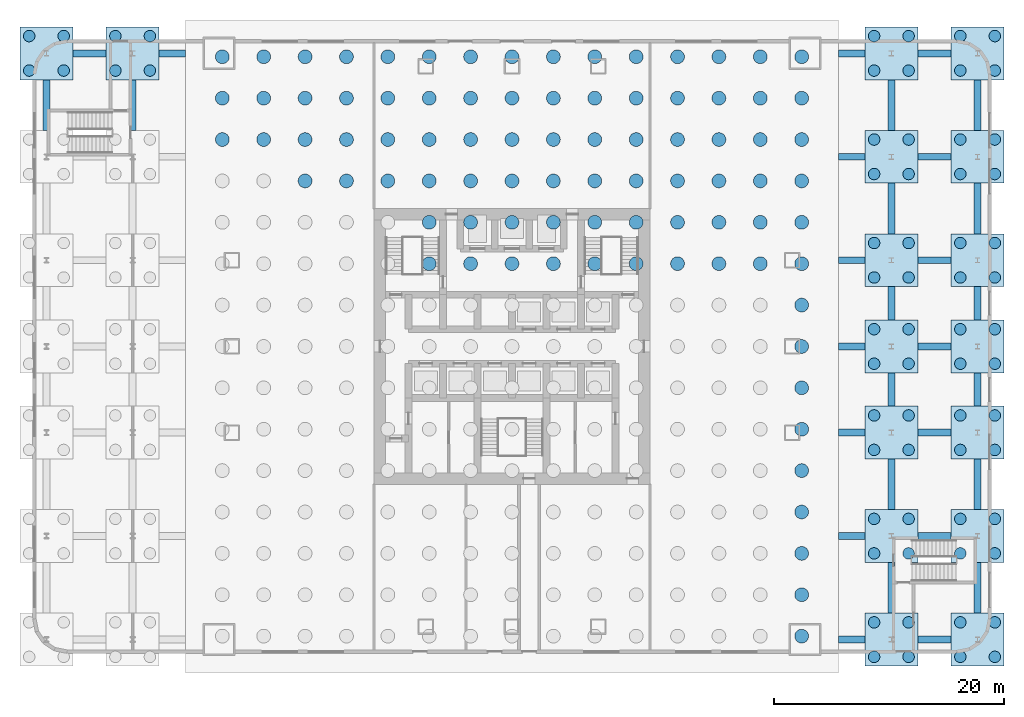
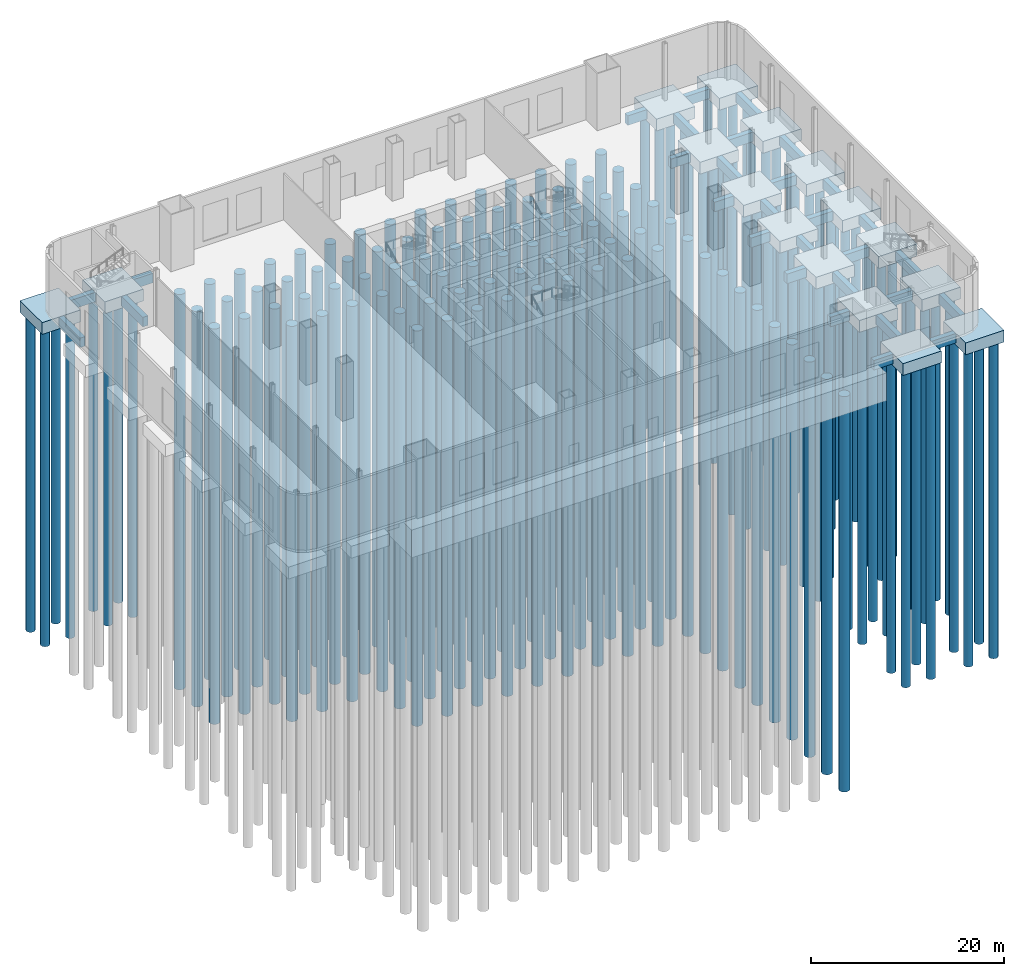
# One storey, part 2 of 10: 151 piles, 46 footings.
"""IFC4 building model written with IfcOpenShell, lengths in metres."""

from ifc_helpers import new_model, si_unit, direction, frame, origin, origin_2d, place, context, subcontext, project, spatial, rectangle, circle, extrude, material, layer, layer_set, material_profile, profile_set, type_object, element, save


model = new_model("IFC4")

# Units and contexts
model_context = context("Model", 3, precision=1e-05, world=origin(), true_north=direction((0.0, 1.0)))
body_context = subcontext(model_context, "Body", "Model", "MODEL_VIEW")
ifc_project = project(units=[si_unit("LENGTHUNIT", "METRE"), si_unit("AREAUNIT", "SQUARE_METRE"), si_unit("VOLUMEUNIT", "CUBIC_METRE"), si_unit("PLANEANGLEUNIT", "RADIAN"), si_unit("MASSUNIT", "GRAM", prefix="KILO")], contexts=[model_context])

# Site, building, storey
site_placement = place(None, origin())
site = spatial("IfcSite", under=ifc_project, at=site_placement, CompositionType="ELEMENT")
building_placement = place(site_placement, origin())
building = spatial("IfcBuilding", under=site, at=building_placement, Name="Tarangal Relay Tower", CompositionType="ELEMENT")
storey_placement = place(building_placement, origin())
storey = spatial("IfcBuildingStorey", under=building, at=storey_placement, Name="L00", CompositionType="ELEMENT", Elevation=0.0)

# Piles
ifc_material = material(Name="Concrete fc' 40 MPa", Category="concrete")
ifc_material_profile_1 = material_profile(ifc_material, circle(Radius=0.5, at=origin_2d()), Name="D1000")
ifc_profile_set_1 = profile_set([ifc_material_profile_1], Name="Concrete fc' 40 MPa")
pile_type_1 = type_object("IfcPileType", Name="Bored pile 1000", PredefinedType="BORED", material=ifc_profile_set_1)
for number, where, z_axis, x_axis, name in (
    (1, (-34.5, 24.0, -1.699951171875), (0.0, 0.0, -1.0), (1.0, 0.0, 0.0), "Bored pile P2 under cap -33.0 +25.5"),
    (2, (-34.5, 27.0, -1.699951171875), (0.0, 0.0, -1.0), (1.0, 0.0, 0.0), "Bored pile P2 under cap -33.0 +25.5"),
    (3, (-31.5, 24.0, -1.699951171875), (0.0, 0.0, -1.0), (1.0, 0.0, 0.0), "Bored pile P2 under cap -33.0 +25.5"),
    (4, (-31.5, 27.0, -1.699951171875), (0.0, 0.0, -1.0), (1.0, 0.0, 0.0), "Bored pile P2 under cap -33.0 +25.5"),
    (5, (-42.0, 24.0, -1.699951171875), (0.0, 0.0, -1.0), (1.0, 0.0, 0.0), "Bored pile P2 under cap -40.5 +25.5"),
    (6, (-42.0, 27.0, -1.699951171875), (0.0, 0.0, -1.0), (1.0, 0.0, 0.0), "Bored pile P2 under cap -40.5 +25.5"),
    (7, (-39.0, 24.0, -1.699951171875), (0.0, 0.0, -1.0), (1.0, 0.0, 0.0), "Bored pile P2 under cap -40.5 +25.5"),
    (8, (-39.0, 27.0, -1.699951171875), (0.0, 0.0, -1.0), (1.0, 0.0, 0.0), "Bored pile P2 under cap -40.5 +25.5"),
    (9, (31.5, -27.0, -1.699951171875), (0.0, 0.0, -1.0), (1.0, 0.0, 0.0), "Bored pile P2 under cap +33.0 -25.5"),
    (10, (31.5, -24.0, -1.699951171875), (0.0, 0.0, -1.0), (1.0, 0.0, 0.0), "Bored pile P2 under cap +33.0 -25.5"),
    (11, (34.5, -27.0, -1.699951171875), (0.0, 0.0, -1.0), (1.0, 0.0, 0.0), "Bored pile P2 under cap +33.0 -25.5"),
    (12, (34.5, -24.0, -1.699951171875), (0.0, 0.0, -1.0), (1.0, 0.0, 0.0), "Bored pile P2 under cap +33.0 -25.5"),
    (13, (31.5, -18.0, -1.699951171875), (0.0, 0.0, -1.0), (1.0, 0.0, 0.0), "Bored pile P2 under cap +33.0 -16.5"),
    (14, (31.5, -15.0, -1.699951171875), (0.0, 0.0, -1.0), (1.0, 0.0, 0.0), "Bored pile P2 under cap +33.0 -16.5"),
    (15, (34.5, -18.0, -1.699951171875), (0.0, 0.0, -1.0), (1.0, 0.0, 0.0), "Bored pile P2 under cap +33.0 -16.5"),
    (16, (34.5, -15.0, -1.699951171875), (0.0, 0.0, -1.0), (1.0, 0.0, 0.0), "Bored pile P2 under cap +33.0 -16.5"),
    (17, (31.5, -9.0, -1.699951171875), (0.0, 0.0, -1.0), (1.0, 0.0, 0.0), "Bored pile P2 under cap +33.0 -7.5"),
    (18, (31.5, -6.0, -1.699951171875), (0.0, 0.0, -1.0), (1.0, 0.0, 0.0), "Bored pile P2 under cap +33.0 -7.5"),
    (19, (34.5, -9.0, -1.699951171875), (0.0, 0.0, -1.0), (1.0, 0.0, 0.0), "Bored pile P2 under cap +33.0 -7.5"),
    (20, (34.5, -6.0, -1.699951171875), (0.0, 0.0, -1.0), (1.0, 0.0, 0.0), "Bored pile P2 under cap +33.0 -7.5"),
    (21, (31.5, -1.5, -1.699951171875), (0.0, 0.0, -1.0), (1.0, 0.0, 0.0), "Bored pile P2 under cap +33.0 +0.0"),
    (22, (31.5, 1.5, -1.699951171875), (0.0, 0.0, -1.0), (1.0, 0.0, 0.0), "Bored pile P2 under cap +33.0 +0.0"),
    (23, (34.5, -1.5, -1.699951171875), (0.0, 0.0, -1.0), (1.0, 0.0, 0.0), "Bored pile P2 under cap +33.0 +0.0"),
    (24, (34.5, 1.5, -1.699951171875), (0.0, 0.0, -1.0), (1.0, 0.0, 0.0), "Bored pile P2 under cap +33.0 +0.0"),
    (25, (31.5, 6.0, -1.699951171875), (0.0, 0.0, -1.0), (1.0, 0.0, 0.0), "Bored pile P2 under cap +33.0 +7.5"),
    (26, (31.5, 9.0, -1.699951171875), (0.0, 0.0, -1.0), (1.0, 0.0, 0.0), "Bored pile P2 under cap +33.0 +7.5"),
    (27, (34.5, 6.0, -1.699951171875), (0.0, 0.0, -1.0), (1.0, 0.0, 0.0), "Bored pile P2 under cap +33.0 +7.5"),
    (28, (34.5, 9.0, -1.699951171875), (0.0, 0.0, -1.0), (1.0, 0.0, 0.0), "Bored pile P2 under cap +33.0 +7.5"),
    (29, (31.5, 15.0, -1.699951171875), (0.0, 0.0, -1.0), (1.0, 0.0, 0.0), "Bored pile P2 under cap +33.0 +16.5"),
    (30, (31.5, 18.0, -1.699951171875), (0.0, 0.0, -1.0), (1.0, 0.0, 0.0), "Bored pile P2 under cap +33.0 +16.5"),
    (31, (34.5, 15.0, -1.699951171875), (0.0, 0.0, -1.0), (1.0, 0.0, 0.0), "Bored pile P2 under cap +33.0 +16.5"),
    (32, (34.5, 18.0, -1.699951171875), (0.0, 0.0, -1.0), (1.0, 0.0, 0.0), "Bored pile P2 under cap +33.0 +16.5"),
    (33, (31.5, 24.0, -1.699951171875), (0.0, 0.0, -1.0), (1.0, 0.0, 0.0), "Bored pile P2 under cap +33.0 +25.5"),
    (34, (31.5, 27.0, -1.699951171875), (0.0, 0.0, -1.0), (1.0, 0.0, 0.0), "Bored pile P2 under cap +33.0 +25.5"),
    (35, (34.5, 24.0, -1.699951171875), (0.0, 0.0, -1.0), (1.0, 0.0, 0.0), "Bored pile P2 under cap +33.0 +25.5"),
    (36, (34.5, 27.0, -1.699951171875), (0.0, 0.0, -1.0), (1.0, 0.0, 0.0), "Bored pile P2 under cap +33.0 +25.5"),
    (37, (39.0, -27.0, -1.699951171875), (0.0, 0.0, -1.0), (1.0, 0.0, 0.0), "Bored pile P2 under cap +40.5 -25.5"),
    (38, (39.0, -24.0, -1.699951171875), (0.0, 0.0, -1.0), (1.0, 0.0, 0.0), "Bored pile P2 under cap +40.5 -25.5"),
    (39, (42.0, -27.0, -1.699951171875), (0.0, 0.0, -1.0), (1.0, 0.0, 0.0), "Bored pile P2 under cap +40.5 -25.5"),
    (40, (42.0, -24.0, -1.699951171875), (0.0, 0.0, -1.0), (1.0, 0.0, 0.0), "Bored pile P2 under cap +40.5 -25.5"),
    (41, (39.0, -18.0, -1.699951171875), (0.0, 0.0, -1.0), (1.0, 0.0, 0.0), "Bored pile P2 under cap +40.5 -16.5"),
    (42, (39.0, -15.0, -1.699951171875), (0.0, 0.0, -1.0), (1.0, 0.0, 0.0), "Bored pile P2 under cap +40.5 -16.5"),
    (43, (42.0, -18.0, -1.699951171875), (0.0, 0.0, -1.0), (1.0, 0.0, 0.0), "Bored pile P2 under cap +40.5 -16.5"),
    (44, (42.0, -15.0, -1.699951171875), (0.0, 0.0, -1.0), (1.0, 0.0, 0.0), "Bored pile P2 under cap +40.5 -16.5"),
    (45, (39.0, -9.0, -1.699951171875), (0.0, 0.0, -1.0), (1.0, 0.0, 0.0), "Bored pile P2 under cap +40.5 -7.5"),
    (46, (39.0, -6.0, -1.699951171875), (0.0, 0.0, -1.0), (1.0, 0.0, 0.0), "Bored pile P2 under cap +40.5 -7.5"),
    (47, (42.0, -9.0, -1.699951171875), (0.0, 0.0, -1.0), (1.0, 0.0, 0.0), "Bored pile P2 under cap +40.5 -7.5"),
    (48, (42.0, -6.0, -1.699951171875), (0.0, 0.0, -1.0), (1.0, 0.0, 0.0), "Bored pile P2 under cap +40.5 -7.5"),
    (49, (39.0, -1.5, -1.699951171875), (0.0, 0.0, -1.0), (1.0, 0.0, 0.0), "Bored pile P2 under cap +40.5 +0.0"),
    (50, (39.0, 1.5, -1.699951171875), (0.0, 0.0, -1.0), (1.0, 0.0, 0.0), "Bored pile P2 under cap +40.5 +0.0"),
    (51, (42.0, -1.5, -1.699951171875), (0.0, 0.0, -1.0), (1.0, 0.0, 0.0), "Bored pile P2 under cap +40.5 +0.0"),
    (52, (42.0, 1.5, -1.699951171875), (0.0, 0.0, -1.0), (1.0, 0.0, 0.0), "Bored pile P2 under cap +40.5 +0.0"),
    (53, (39.0, 6.0, -1.699951171875), (0.0, 0.0, -1.0), (1.0, 0.0, 0.0), "Bored pile P2 under cap +40.5 +7.5"),
    (54, (39.0, 9.0, -1.699951171875), (0.0, 0.0, -1.0), (1.0, 0.0, 0.0), "Bored pile P2 under cap +40.5 +7.5"),
    (55, (42.0, 6.0, -1.699951171875), (0.0, 0.0, -1.0), (1.0, 0.0, 0.0), "Bored pile P2 under cap +40.5 +7.5"),
    (56, (42.0, 9.0, -1.699951171875), (0.0, 0.0, -1.0), (1.0, 0.0, 0.0), "Bored pile P2 under cap +40.5 +7.5"),
    (57, (39.0, 15.0, -1.699951171875), (0.0, 0.0, -1.0), (1.0, 0.0, 0.0), "Bored pile P2 under cap +40.5 +16.5"),
    (58, (39.0, 18.0, -1.699951171875), (0.0, 0.0, -1.0), (1.0, 0.0, 0.0), "Bored pile P2 under cap +40.5 +16.5"),
    (59, (42.0, 15.0, -1.699951171875), (0.0, 0.0, -1.0), (1.0, 0.0, 0.0), "Bored pile P2 under cap +40.5 +16.5"),
    (60, (42.0, 18.0, -1.699951171875), (0.0, 0.0, -1.0), (1.0, 0.0, 0.0), "Bored pile P2 under cap +40.5 +16.5"),
    (61, (39.0, 24.0, -1.699951171875), (0.0, 0.0, -1.0), (1.0, 0.0, 0.0), "Bored pile P2 under cap +40.5 +25.5"),
    (62, (39.0, 27.0, -1.699951171875), (0.0, 0.0, -1.0), (1.0, 0.0, 0.0), "Bored pile P2 under cap +40.5 +25.5"),
    (63, (42.0, 24.0, -1.699951171875), (0.0, 0.0, -1.0), (1.0, 0.0, 0.0), "Bored pile P2 under cap +40.5 +25.5"),
    (64, (42.0, 27.0, -1.699951171875), (0.0, 0.0, -1.0), (1.0, 0.0, 0.0), "Bored pile P2 under cap +40.5 +25.5"),
):
    element("IfcPile", number, at=place(storey_placement, frame(where, z_axis=z_axis, x_axis=x_axis)), inside=storey, type_object=pile_type_1, Name=name, PredefinedType="BORED", context=body_context, shape_type="SweptSolid", body=[
        extrude(circle(Radius=0.5, at=origin_2d()), origin(), (0.0, 0.0, 1.0), 40.0),
    ])
ifc_material_profile_2 = material_profile(ifc_material, circle(Radius=0.60009765625, at=origin_2d()), Name="D1200")
ifc_profile_set_2 = profile_set([ifc_material_profile_2], Name="Concrete fc' 40 MPa")
pile_type_2 = type_object("IfcPileType", Name="Bored pile 1200", PredefinedType="BORED", material=ifc_profile_set_2)
for number, where, z_axis, x_axis, name in (
    (65, (-25.199951171875, 18.0, -3.699951171875), (0.0, 0.0, -1.0), (1.0, 0.0, 0.0), "Bored pile P1 01-13"),
    (66, (-25.199951171875, 21.60009765625, -3.699951171875), (0.0, 0.0, -1.0), (1.0, 0.0, 0.0), "Bored pile P1 01-14"),
    (67, (-25.199951171875, 25.199951171875, -3.699951171875), (0.0, 0.0, -1.0), (1.0, 0.0, 0.0), "Bored pile P1 01-15"),
    (68, (-21.60009765625, 18.0, -3.699951171875), (0.0, 0.0, -1.0), (1.0, 0.0, 0.0), "Bored pile P1 02-13"),
    (69, (-21.60009765625, 21.60009765625, -3.699951171875), (0.0, 0.0, -1.0), (1.0, 0.0, 0.0), "Bored pile P1 02-14"),
    (70, (-21.60009765625, 25.199951171875, -3.699951171875), (0.0, 0.0, -1.0), (1.0, 0.0, 0.0), "Bored pile P1 02-15"),
    (71, (-18.0, 14.39990234375, -3.699951171875), (0.0, 0.0, -1.0), (1.0, 0.0, 0.0), "Bored pile P1 03-12"),
    (72, (-18.0, 18.0, -3.699951171875), (0.0, 0.0, -1.0), (1.0, 0.0, 0.0), "Bored pile P1 03-13"),
    (73, (-18.0, 21.60009765625, -3.699951171875), (0.0, 0.0, -1.0), (1.0, 0.0, 0.0), "Bored pile P1 03-14"),
    (74, (-18.0, 25.199951171875, -3.699951171875), (0.0, 0.0, -1.0), (1.0, 0.0, 0.0), "Bored pile P1 03-15"),
    (75, (-14.39990234375, 14.39990234375, -3.699951171875), (0.0, 0.0, -1.0), (1.0, 0.0, 0.0), "Bored pile P1 04-12"),
    (76, (-14.39990234375, 18.0, -3.699951171875), (0.0, 0.0, -1.0), (1.0, 0.0, 0.0), "Bored pile P1 04-13"),
    (77, (-14.39990234375, 21.60009765625, -3.699951171875), (0.0, 0.0, -1.0), (1.0, 0.0, 0.0), "Bored pile P1 04-14"),
    (78, (-14.39990234375, 25.199951171875, -3.699951171875), (0.0, 0.0, -1.0), (1.0, 0.0, 0.0), "Bored pile P1 04-15"),
    (79, (-10.800048828125, 14.39990234375, -3.699951171875), (0.0, 0.0, -1.0), (1.0, 0.0, 0.0), "Bored pile P1 05-12"),
    (80, (-10.800048828125, 18.0, -3.699951171875), (0.0, 0.0, -1.0), (1.0, 0.0, 0.0), "Bored pile P1 05-13"),
    (81, (-10.800048828125, 21.60009765625, -3.699951171875), (0.0, 0.0, -1.0), (1.0, 0.0, 0.0), "Bored pile P1 05-14"),
    (82, (-10.800048828125, 25.199951171875, -3.699951171875), (0.0, 0.0, -1.0), (1.0, 0.0, 0.0), "Bored pile P1 05-15"),
    (83, (-7.199951171875, 7.199951171875, -3.699951171875), (0.0, 0.0, -1.0), (1.0, 0.0, 0.0), "Bored pile P1 06-10"),
    (84, (-7.199951171875, 10.800048828125, -3.699951171875), (0.0, 0.0, -1.0), (1.0, 0.0, 0.0), "Bored pile P1 06-11"),
    (85, (-7.199951171875, 14.39990234375, -3.699951171875), (0.0, 0.0, -1.0), (1.0, 0.0, 0.0), "Bored pile P1 06-12"),
    (86, (-7.199951171875, 18.0, -3.699951171875), (0.0, 0.0, -1.0), (1.0, 0.0, 0.0), "Bored pile P1 06-13"),
    (87, (-7.199951171875, 21.60009765625, -3.699951171875), (0.0, 0.0, -1.0), (1.0, 0.0, 0.0), "Bored pile P1 06-14"),
    (88, (-7.199951171875, 25.199951171875, -3.699951171875), (0.0, 0.0, -1.0), (1.0, 0.0, 0.0), "Bored pile P1 06-15"),
    (89, (-3.60009765625, 7.199951171875, -3.699951171875), (0.0, 0.0, -1.0), (1.0, 0.0, 0.0), "Bored pile P1 07-10"),
    (90, (-3.60009765625, 10.800048828125, -3.699951171875), (0.0, 0.0, -1.0), (1.0, 0.0, 0.0), "Bored pile P1 07-11"),
    (91, (-3.60009765625, 14.39990234375, -3.699951171875), (0.0, 0.0, -1.0), (1.0, 0.0, 0.0), "Bored pile P1 07-12"),
    (92, (-3.60009765625, 18.0, -3.699951171875), (0.0, 0.0, -1.0), (1.0, 0.0, 0.0), "Bored pile P1 07-13"),
    (93, (-3.60009765625, 21.60009765625, -3.699951171875), (0.0, 0.0, -1.0), (1.0, 0.0, 0.0), "Bored pile P1 07-14"),
    (94, (-3.60009765625, 25.199951171875, -3.699951171875), (0.0, 0.0, -1.0), (1.0, 0.0, 0.0), "Bored pile P1 07-15"),
    (95, (0.0, 7.199951171875, -3.699951171875), (0.0, 0.0, -1.0), (1.0, 0.0, 0.0), "Bored pile P1 08-10"),
    (96, (0.0, 10.800048828125, -3.699951171875), (0.0, 0.0, -1.0), (1.0, 0.0, 0.0), "Bored pile P1 08-11"),
    (97, (0.0, 14.39990234375, -3.699951171875), (0.0, 0.0, -1.0), (1.0, 0.0, 0.0), "Bored pile P1 08-12"),
    (98, (0.0, 18.0, -3.699951171875), (0.0, 0.0, -1.0), (1.0, 0.0, 0.0), "Bored pile P1 08-13"),
    (99, (0.0, 21.60009765625, -3.699951171875), (0.0, 0.0, -1.0), (1.0, 0.0, 0.0), "Bored pile P1 08-14"),
    (100, (0.0, 25.199951171875, -3.699951171875), (0.0, 0.0, -1.0), (1.0, 0.0, 0.0), "Bored pile P1 08-15"),
    (101, (3.60009765625, 7.199951171875, -3.699951171875), (0.0, 0.0, -1.0), (1.0, 0.0, 0.0), "Bored pile P1 09-10"),
    (102, (3.60009765625, 10.800048828125, -3.699951171875), (0.0, 0.0, -1.0), (1.0, 0.0, 0.0), "Bored pile P1 09-11"),
    (103, (3.60009765625, 14.39990234375, -3.699951171875), (0.0, 0.0, -1.0), (1.0, 0.0, 0.0), "Bored pile P1 09-12"),
    (104, (3.60009765625, 18.0, -3.699951171875), (0.0, 0.0, -1.0), (1.0, 0.0, 0.0), "Bored pile P1 09-13"),
    (105, (3.60009765625, 21.60009765625, -3.699951171875), (0.0, 0.0, -1.0), (1.0, 0.0, 0.0), "Bored pile P1 09-14"),
    (106, (3.60009765625, 25.199951171875, -3.699951171875), (0.0, 0.0, -1.0), (1.0, 0.0, 0.0), "Bored pile P1 09-15"),
    (107, (7.199951171875, 7.199951171875, -3.699951171875), (0.0, 0.0, -1.0), (1.0, 0.0, 0.0), "Bored pile P1 10-10"),
    (108, (7.199951171875, 10.800048828125, -3.699951171875), (0.0, 0.0, -1.0), (1.0, 0.0, 0.0), "Bored pile P1 10-11"),
    (109, (7.199951171875, 14.39990234375, -3.699951171875), (0.0, 0.0, -1.0), (1.0, 0.0, 0.0), "Bored pile P1 10-12"),
    (110, (7.199951171875, 18.0, -3.699951171875), (0.0, 0.0, -1.0), (1.0, 0.0, 0.0), "Bored pile P1 10-13"),
    (111, (7.199951171875, 21.60009765625, -3.699951171875), (0.0, 0.0, -1.0), (1.0, 0.0, 0.0), "Bored pile P1 10-14"),
    (112, (7.199951171875, 25.199951171875, -3.699951171875), (0.0, 0.0, -1.0), (1.0, 0.0, 0.0), "Bored pile P1 10-15"),
    (113, (10.800048828125, 7.199951171875, -3.699951171875), (0.0, 0.0, -1.0), (1.0, 0.0, 0.0), "Bored pile P1 11-10"),
    (114, (10.800048828125, 10.800048828125, -3.699951171875), (0.0, 0.0, -1.0), (1.0, 0.0, 0.0), "Bored pile P1 11-11"),
    (115, (10.800048828125, 14.39990234375, -3.699951171875), (0.0, 0.0, -1.0), (1.0, 0.0, 0.0), "Bored pile P1 11-12"),
    (116, (10.800048828125, 18.0, -3.699951171875), (0.0, 0.0, -1.0), (1.0, 0.0, 0.0), "Bored pile P1 11-13"),
    (117, (10.800048828125, 21.60009765625, -3.699951171875), (0.0, 0.0, -1.0), (1.0, 0.0, 0.0), "Bored pile P1 11-14"),
    (118, (10.800048828125, 25.199951171875, -3.699951171875), (0.0, 0.0, -1.0), (1.0, 0.0, 0.0), "Bored pile P1 11-15"),
    (119, (14.39990234375, 7.199951171875, -3.699951171875), (0.0, 0.0, -1.0), (1.0, 0.0, 0.0), "Bored pile P1 12-10"),
    (120, (14.39990234375, 10.800048828125, -3.699951171875), (0.0, 0.0, -1.0), (1.0, 0.0, 0.0), "Bored pile P1 12-11"),
    (121, (14.39990234375, 14.39990234375, -3.699951171875), (0.0, 0.0, -1.0), (1.0, 0.0, 0.0), "Bored pile P1 12-12"),
    (122, (14.39990234375, 18.0, -3.699951171875), (0.0, 0.0, -1.0), (1.0, 0.0, 0.0), "Bored pile P1 12-13"),
    (123, (14.39990234375, 21.60009765625, -3.699951171875), (0.0, 0.0, -1.0), (1.0, 0.0, 0.0), "Bored pile P1 12-14"),
    (124, (14.39990234375, 25.199951171875, -3.699951171875), (0.0, 0.0, -1.0), (1.0, 0.0, 0.0), "Bored pile P1 12-15"),
    (125, (18.0, 7.199951171875, -3.699951171875), (0.0, 0.0, -1.0), (1.0, 0.0, 0.0), "Bored pile P1 13-10"),
    (126, (18.0, 10.800048828125, -3.699951171875), (0.0, 0.0, -1.0), (1.0, 0.0, 0.0), "Bored pile P1 13-11"),
    (127, (18.0, 14.39990234375, -3.699951171875), (0.0, 0.0, -1.0), (1.0, 0.0, 0.0), "Bored pile P1 13-12"),
    (128, (18.0, 18.0, -3.699951171875), (0.0, 0.0, -1.0), (1.0, 0.0, 0.0), "Bored pile P1 13-13"),
    (129, (18.0, 21.60009765625, -3.699951171875), (0.0, 0.0, -1.0), (1.0, 0.0, 0.0), "Bored pile P1 13-14"),
    (130, (18.0, 25.199951171875, -3.699951171875), (0.0, 0.0, -1.0), (1.0, 0.0, 0.0), "Bored pile P1 13-15"),
    (131, (21.60009765625, 7.199951171875, -3.699951171875), (0.0, 0.0, -1.0), (1.0, 0.0, 0.0), "Bored pile P1 14-10"),
    (132, (21.60009765625, 10.800048828125, -3.699951171875), (0.0, 0.0, -1.0), (1.0, 0.0, 0.0), "Bored pile P1 14-11"),
    (133, (21.60009765625, 14.39990234375, -3.699951171875), (0.0, 0.0, -1.0), (1.0, 0.0, 0.0), "Bored pile P1 14-12"),
    (134, (21.60009765625, 18.0, -3.699951171875), (0.0, 0.0, -1.0), (1.0, 0.0, 0.0), "Bored pile P1 14-13"),
    (135, (21.60009765625, 21.60009765625, -3.699951171875), (0.0, 0.0, -1.0), (1.0, 0.0, 0.0), "Bored pile P1 14-14"),
    (136, (21.60009765625, 25.199951171875, -3.699951171875), (0.0, 0.0, -1.0), (1.0, 0.0, 0.0), "Bored pile P1 14-15"),
    (137, (25.199951171875, -25.199951171875, -3.699951171875), (0.0, 0.0, -1.0), (1.0, 0.0, 0.0), "Bored pile P1 15-01"),
    (138, (25.199951171875, -21.60009765625, -3.699951171875), (0.0, 0.0, -1.0), (1.0, 0.0, 0.0), "Bored pile P1 15-02"),
    (139, (25.199951171875, -18.0, -3.699951171875), (0.0, 0.0, -1.0), (1.0, 0.0, 0.0), "Bored pile P1 15-03"),
    (140, (25.199951171875, -14.39990234375, -3.699951171875), (0.0, 0.0, -1.0), (1.0, 0.0, 0.0), "Bored pile P1 15-04"),
    (141, (25.199951171875, -10.800048828125, -3.699951171875), (0.0, 0.0, -1.0), (1.0, 0.0, 0.0), "Bored pile P1 15-05"),
    (142, (25.199951171875, -7.199951171875, -3.699951171875), (0.0, 0.0, -1.0), (1.0, 0.0, 0.0), "Bored pile P1 15-06"),
    (143, (25.199951171875, -3.60009765625, -3.699951171875), (0.0, 0.0, -1.0), (1.0, 0.0, 0.0), "Bored pile P1 15-07"),
    (144, (25.199951171875, 0.0, -3.699951171875), (0.0, 0.0, -1.0), (1.0, 0.0, 0.0), "Bored pile P1 15-08"),
    (145, (25.199951171875, 3.60009765625, -3.699951171875), (0.0, 0.0, -1.0), (1.0, 0.0, 0.0), "Bored pile P1 15-09"),
    (146, (25.199951171875, 7.199951171875, -3.699951171875), (0.0, 0.0, -1.0), (1.0, 0.0, 0.0), "Bored pile P1 15-10"),
    (147, (25.199951171875, 10.800048828125, -3.699951171875), (0.0, 0.0, -1.0), (1.0, 0.0, 0.0), "Bored pile P1 15-11"),
    (148, (25.199951171875, 14.39990234375, -3.699951171875), (0.0, 0.0, -1.0), (1.0, 0.0, 0.0), "Bored pile P1 15-12"),
    (149, (25.199951171875, 18.0, -3.699951171875), (0.0, 0.0, -1.0), (1.0, 0.0, 0.0), "Bored pile P1 15-13"),
    (150, (25.199951171875, 21.60009765625, -3.699951171875), (0.0, 0.0, -1.0), (1.0, 0.0, 0.0), "Bored pile P1 15-14"),
    (151, (25.199951171875, 25.199951171875, -3.699951171875), (0.0, 0.0, -1.0), (1.0, 0.0, 0.0), "Bored pile P1 15-15"),
):
    element("IfcPile", number, at=place(storey_placement, frame(where, z_axis=z_axis, x_axis=x_axis)), inside=storey, type_object=pile_type_2, Name=name, PredefinedType="BORED", context=body_context, shape_type="SweptSolid", body=[
        extrude(circle(Radius=0.60009765625, at=origin_2d()), origin(), (0.0, 0.0, 1.0), 50.0),
    ])

# Footings
ifc_material_profile_3 = material_profile(ifc_material, rectangle(XDim=0.60009765625, YDim=1.199951171875, at=origin_2d()), Name="GB 600X1200")
ifc_profile_set_3 = profile_set([ifc_material_profile_3], Name="Concrete fc' 40 MPa")
footing_type_1 = type_object("IfcFootingType", Name="Ground beam 600 x 1200", PredefinedType="FOOTING_BEAM", material=ifc_profile_set_3)
footing_1_placement = place(storey_placement, frame((-35.300048828125, 25.5, -0.89990234375), z_axis=(-1.0, 0.0, 0.0), x_axis=(0.0, -1.0, 0.0)))
element("IfcFooting", 152, at=footing_1_placement, inside=storey, type_object=footing_type_1, Name="Ground beam GB1 grid +25.5", PredefinedType="FOOTING_BEAM", context=body_context, shape_type="SweptSolid", body=[
    extrude(rectangle(XDim=0.60009765625, YDim=1.199951171875, at=origin_2d()), origin(), (0.0, 0.0, 1.0), 2.89990234375),
])
for number, where, z_axis, x_axis, name in (
    (153, (-33.0, 18.800048828125, -0.89990234375), (0.0, 1.0, 0.0), (-1.0, 0.0, 0.0), "Ground beam GB1 grid -33.0"),
    (154, (-40.5, 18.800048828125, -0.89990234375), (0.0, 1.0, 0.0), (-1.0, 0.0, 0.0), "Ground beam GB1 grid -40.5"),
):
    element("IfcFooting", number, at=place(storey_placement, frame(where, z_axis=z_axis, x_axis=x_axis)), inside=storey, type_object=footing_type_1, Name=name, PredefinedType="FOOTING_BEAM", context=body_context, shape_type="SweptSolid", body=[
        extrude(rectangle(XDim=0.60009765625, YDim=1.199951171875, at=origin_2d()), origin(), (0.0, 0.0, 1.0), 4.39990234375),
    ])
footing_2_placement = place(storey_placement, frame((-28.39990234375, 25.5, -0.89990234375), z_axis=(-1.0, 0.0, 0.0), x_axis=(0.0, -1.0, 0.0)))
element("IfcFooting", 155, at=footing_2_placement, inside=storey, type_object=footing_type_1, Name="Ground beam GB1 raft tie +25.5", PredefinedType="FOOTING_BEAM", context=body_context, shape_type="SweptSolid", body=[
    extrude(rectangle(XDim=0.60009765625, YDim=1.199951171875, at=origin_2d()), origin(), (0.0, 0.0, 1.0), 2.300048828125),
])
for number, where, z_axis, x_axis, name in (
    (156, (35.300048828125, -25.5, -0.89990234375), (1.0, 0.0, 0.0), (0.0, 1.0, 0.0), "Ground beam GB1 grid -25.5"),
    (157, (35.300048828125, -16.5, -0.89990234375), (1.0, 0.0, 0.0), (0.0, 1.0, 0.0), "Ground beam GB1 grid -16.5"),
    (158, (35.300048828125, -7.5, -0.89990234375), (1.0, 0.0, 0.0), (0.0, 1.0, 0.0), "Ground beam GB1 grid -7.5"),
    (159, (35.300048828125, 0.0, -0.89990234375), (1.0, 0.0, 0.0), (0.0, 1.0, 0.0), "Ground beam GB1 grid +0.0"),
    (160, (35.300048828125, 7.5, -0.89990234375), (1.0, 0.0, 0.0), (0.0, 1.0, 0.0), "Ground beam GB1 grid +7.5"),
    (161, (35.300048828125, 16.5, -0.89990234375), (1.0, 0.0, 0.0), (0.0, 1.0, 0.0), "Ground beam GB1 grid +16.5"),
    (162, (35.300048828125, 25.5, -0.89990234375), (1.0, 0.0, 0.0), (0.0, 1.0, 0.0), "Ground beam GB1 grid +25.5"),
):
    element("IfcFooting", number, at=place(storey_placement, frame(where, z_axis=z_axis, x_axis=x_axis)), inside=storey, type_object=footing_type_1, Name=name, PredefinedType="FOOTING_BEAM", context=body_context, shape_type="SweptSolid", body=[
        extrude(rectangle(XDim=0.60009765625, YDim=1.199951171875, at=origin_2d()), origin(), (0.0, 0.0, 1.0), 2.89990234375),
    ])
for number, where, z_axis, x_axis, name in (
    (163, (33.0, -23.199951171875, -0.89990234375), (0.0, 1.0, 0.0), (-1.0, 0.0, 0.0), "Ground beam GB1 grid +33.0"),
    (164, (33.0, -14.199951171875, -0.89990234375), (0.0, 1.0, 0.0), (-1.0, 0.0, 0.0), "Ground beam GB1 grid +33.0"),
):
    element("IfcFooting", number, at=place(storey_placement, frame(where, z_axis=z_axis, x_axis=x_axis)), inside=storey, type_object=footing_type_1, Name=name, PredefinedType="FOOTING_BEAM", context=body_context, shape_type="SweptSolid", body=[
        extrude(rectangle(XDim=0.60009765625, YDim=1.199951171875, at=origin_2d()), origin(), (0.0, 0.0, 1.0), 4.39990234375),
    ])
for number, where, z_axis, x_axis, name in (
    (165, (33.0, -5.199951171875, -0.89990234375), (0.0, 1.0, 0.0), (-1.0, 0.0, 0.0), "Ground beam GB1 grid +33.0"),
    (166, (33.0, 2.300048828125, -0.89990234375), (0.0, 1.0, 0.0), (-1.0, 0.0, 0.0), "Ground beam GB1 grid +33.0"),
):
    element("IfcFooting", number, at=place(storey_placement, frame(where, z_axis=z_axis, x_axis=x_axis)), inside=storey, type_object=footing_type_1, Name=name, PredefinedType="FOOTING_BEAM", context=body_context, shape_type="SweptSolid", body=[
        extrude(rectangle(XDim=0.60009765625, YDim=1.199951171875, at=origin_2d()), origin(), (0.0, 0.0, 1.0), 2.89990234375),
    ])
for number, where, z_axis, x_axis, name in (
    (167, (33.0, 9.800048828125, -0.89990234375), (0.0, 1.0, 0.0), (-1.0, 0.0, 0.0), "Ground beam GB1 grid +33.0"),
    (168, (33.0, 18.800048828125, -0.89990234375), (0.0, 1.0, 0.0), (-1.0, 0.0, 0.0), "Ground beam GB1 grid +33.0"),
    (169, (40.5, -23.199951171875, -0.89990234375), (0.0, 1.0, 0.0), (-1.0, 0.0, 0.0), "Ground beam GB1 grid +40.5"),
    (170, (40.5, -14.199951171875, -0.89990234375), (0.0, 1.0, 0.0), (-1.0, 0.0, 0.0), "Ground beam GB1 grid +40.5"),
):
    element("IfcFooting", number, at=place(storey_placement, frame(where, z_axis=z_axis, x_axis=x_axis)), inside=storey, type_object=footing_type_1, Name=name, PredefinedType="FOOTING_BEAM", context=body_context, shape_type="SweptSolid", body=[
        extrude(rectangle(XDim=0.60009765625, YDim=1.199951171875, at=origin_2d()), origin(), (0.0, 0.0, 1.0), 4.39990234375),
    ])
for number, where, z_axis, x_axis, name in (
    (171, (40.5, -5.199951171875, -0.89990234375), (0.0, 1.0, 0.0), (-1.0, 0.0, 0.0), "Ground beam GB1 grid +40.5"),
    (172, (40.5, 2.300048828125, -0.89990234375), (0.0, 1.0, 0.0), (-1.0, 0.0, 0.0), "Ground beam GB1 grid +40.5"),
):
    element("IfcFooting", number, at=place(storey_placement, frame(where, z_axis=z_axis, x_axis=x_axis)), inside=storey, type_object=footing_type_1, Name=name, PredefinedType="FOOTING_BEAM", context=body_context, shape_type="SweptSolid", body=[
        extrude(rectangle(XDim=0.60009765625, YDim=1.199951171875, at=origin_2d()), origin(), (0.0, 0.0, 1.0), 2.89990234375),
    ])
for number, where, z_axis, x_axis, name in (
    (173, (40.5, 9.800048828125, -0.89990234375), (0.0, 1.0, 0.0), (-1.0, 0.0, 0.0), "Ground beam GB1 grid +40.5"),
    (174, (40.5, 18.800048828125, -0.89990234375), (0.0, 1.0, 0.0), (-1.0, 0.0, 0.0), "Ground beam GB1 grid +40.5"),
):
    element("IfcFooting", number, at=place(storey_placement, frame(where, z_axis=z_axis, x_axis=x_axis)), inside=storey, type_object=footing_type_1, Name=name, PredefinedType="FOOTING_BEAM", context=body_context, shape_type="SweptSolid", body=[
        extrude(rectangle(XDim=0.60009765625, YDim=1.199951171875, at=origin_2d()), origin(), (0.0, 0.0, 1.0), 4.39990234375),
    ])
for number, where, z_axis, x_axis, name in (
    (175, (28.39990234375, -25.5, -0.89990234375), (1.0, 0.0, 0.0), (0.0, 1.0, 0.0), "Ground beam GB1 raft tie -25.5"),
    (176, (28.39990234375, -16.5, -0.89990234375), (1.0, 0.0, 0.0), (0.0, 1.0, 0.0), "Ground beam GB1 raft tie -16.5"),
    (177, (28.39990234375, -7.5, -0.89990234375), (1.0, 0.0, 0.0), (0.0, 1.0, 0.0), "Ground beam GB1 raft tie -7.5"),
    (178, (28.39990234375, 0.0, -0.89990234375), (1.0, 0.0, 0.0), (0.0, 1.0, 0.0), "Ground beam GB1 raft tie +0.0"),
    (179, (28.39990234375, 7.5, -0.89990234375), (1.0, 0.0, 0.0), (0.0, 1.0, 0.0), "Ground beam GB1 raft tie +7.5"),
    (180, (28.39990234375, 16.5, -0.89990234375), (1.0, 0.0, 0.0), (0.0, 1.0, 0.0), "Ground beam GB1 raft tie +16.5"),
    (181, (28.39990234375, 25.5, -0.89990234375), (1.0, 0.0, 0.0), (0.0, 1.0, 0.0), "Ground beam GB1 raft tie +25.5"),
):
    element("IfcFooting", number, at=place(storey_placement, frame(where, z_axis=z_axis, x_axis=x_axis)), inside=storey, type_object=footing_type_1, Name=name, PredefinedType="FOOTING_BEAM", context=body_context, shape_type="SweptSolid", body=[
        extrude(rectangle(XDim=0.60009765625, YDim=1.199951171875, at=origin_2d()), origin(), (0.0, 0.0, 1.0), 2.300048828125),
    ])
ifc_layer = layer(ifc_material, 1.5)
ifc_layer_set = layer_set([ifc_layer], Name="Pile cap 4600 x 4600 x 1500")
footing_type_2 = type_object("IfcFootingType", Name="Pile cap 4600 x 4600 x 1500", PredefinedType="PILE_CAP", material=ifc_layer_set)
for number, where, z_axis, x_axis, name in (
    (182, (-33.0, 25.5, -1.800048828125), (0.0, 0.0, 1.0), (1.0, 0.0, 0.0), "Pile cap CP4 at -33.0 +25.5"),
    (183, (-40.5, 25.5, -1.800048828125), (0.0, 0.0, 1.0), (1.0, 0.0, 0.0), "Pile cap CP4 at -40.5 +25.5"),
    (184, (33.0, -25.5, -1.800048828125), (0.0, 0.0, 1.0), (1.0, 0.0, 0.0), "Pile cap CP4 at +33.0 -25.5"),
    (185, (33.0, -16.5, -1.800048828125), (0.0, 0.0, 1.0), (1.0, 0.0, 0.0), "Pile cap CP4 at +33.0 -16.5"),
    (186, (33.0, -7.5, -1.800048828125), (0.0, 0.0, 1.0), (1.0, 0.0, 0.0), "Pile cap CP4 at +33.0 -7.5"),
    (187, (33.0, 0.0, -1.800048828125), (0.0, 0.0, 1.0), (1.0, 0.0, 0.0), "Pile cap CP4 at +33.0 +0.0"),
    (188, (33.0, 7.5, -1.800048828125), (0.0, 0.0, 1.0), (1.0, 0.0, 0.0), "Pile cap CP4 at +33.0 +7.5"),
    (189, (33.0, 16.5, -1.800048828125), (0.0, 0.0, 1.0), (1.0, 0.0, 0.0), "Pile cap CP4 at +33.0 +16.5"),
    (190, (33.0, 25.5, -1.800048828125), (0.0, 0.0, 1.0), (1.0, 0.0, 0.0), "Pile cap CP4 at +33.0 +25.5"),
    (191, (40.5, -25.5, -1.800048828125), (0.0, 0.0, 1.0), (1.0, 0.0, 0.0), "Pile cap CP4 at +40.5 -25.5"),
    (192, (40.5, -16.5, -1.800048828125), (0.0, 0.0, 1.0), (1.0, 0.0, 0.0), "Pile cap CP4 at +40.5 -16.5"),
    (193, (40.5, -7.5, -1.800048828125), (0.0, 0.0, 1.0), (1.0, 0.0, 0.0), "Pile cap CP4 at +40.5 -7.5"),
    (194, (40.5, 0.0, -1.800048828125), (0.0, 0.0, 1.0), (1.0, 0.0, 0.0), "Pile cap CP4 at +40.5 +0.0"),
    (195, (40.5, 7.5, -1.800048828125), (0.0, 0.0, 1.0), (1.0, 0.0, 0.0), "Pile cap CP4 at +40.5 +7.5"),
    (196, (40.5, 16.5, -1.800048828125), (0.0, 0.0, 1.0), (1.0, 0.0, 0.0), "Pile cap CP4 at +40.5 +16.5"),
    (197, (40.5, 25.5, -1.800048828125), (0.0, 0.0, 1.0), (1.0, 0.0, 0.0), "Pile cap CP4 at +40.5 +25.5"),
):
    element("IfcFooting", number, at=place(storey_placement, frame(where, z_axis=z_axis, x_axis=x_axis)), inside=storey, type_object=footing_type_2, Name=name, PredefinedType="PILE_CAP", context=body_context, shape_type="SweptSolid", body=[
        extrude(rectangle(XDim=4.60009765625, YDim=4.60009765625, at=origin_2d()), origin(), (0.0, 0.0, 1.0), 1.5),
    ])

save(model, "model.ifc")
